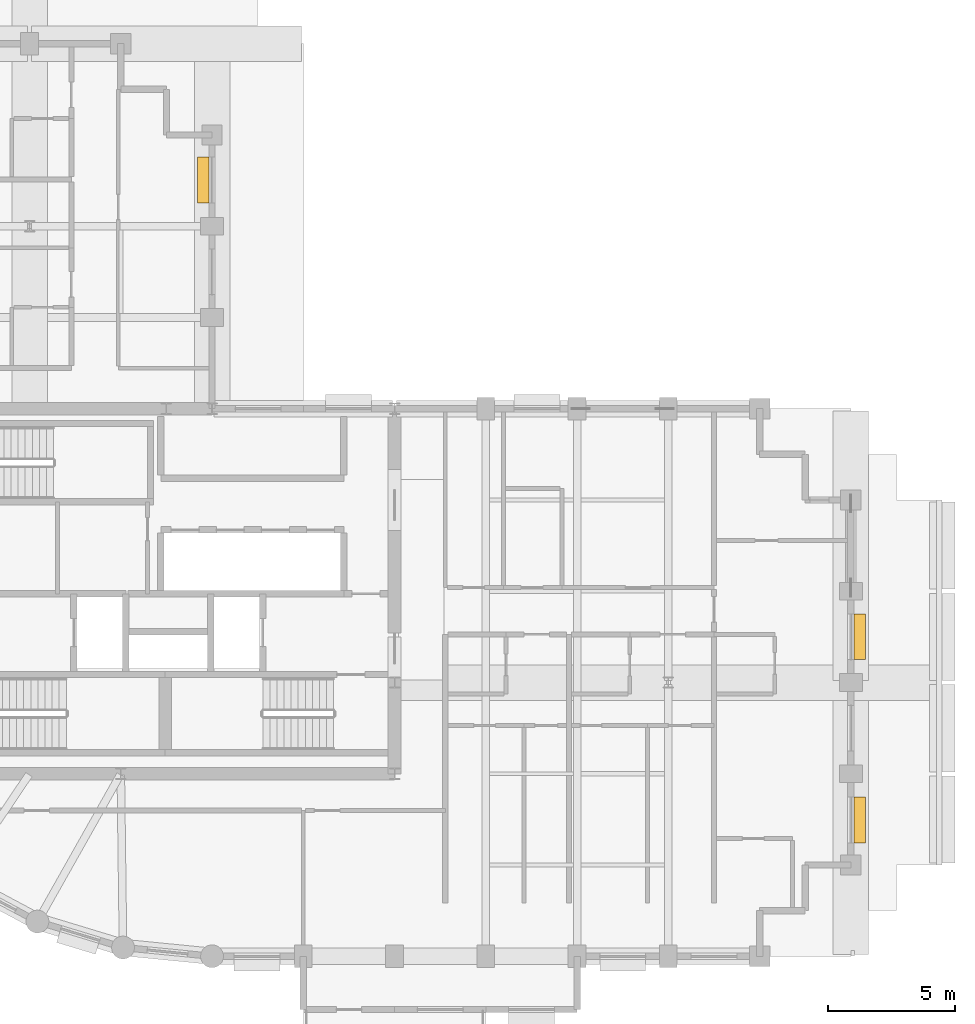
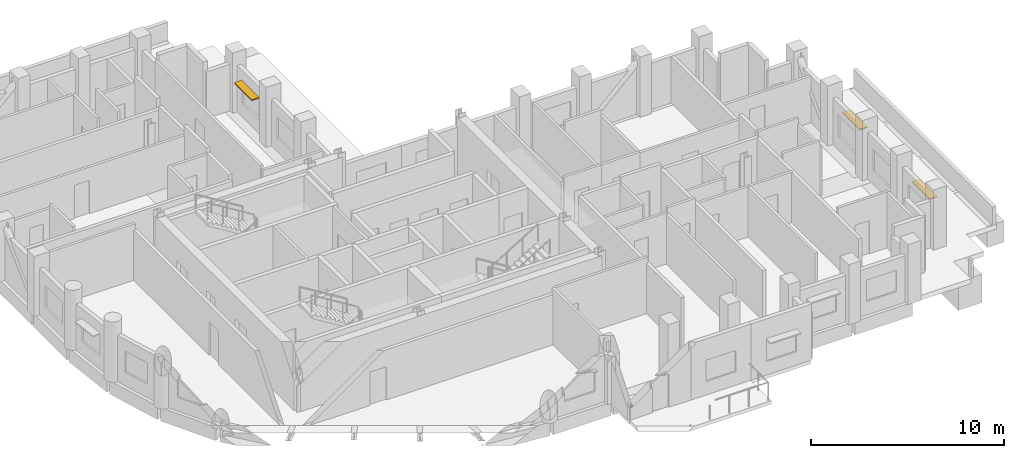
# One storey, part 10 of 10: 3 shading devices.
"""IFC4 building model written with IfcOpenShell, lengths in metres."""

from ifc_helpers import new_model, si_unit, direction, frame, origin, origin_2d, place, context, subcontext, project, spatial, rectangle, extrude, material, layer, layer_set, type_object, element, save


model = new_model("IFC4")

# Units and contexts
model_context = context("Model", 3, precision=1e-05, world=origin(), true_north=direction((0.0, 1.0)))
body_context = subcontext(model_context, "Body", "Model", "MODEL_VIEW")
ifc_project = project(units=[si_unit("LENGTHUNIT", "METRE"), si_unit("AREAUNIT", "SQUARE_METRE"), si_unit("VOLUMEUNIT", "CUBIC_METRE"), si_unit("PLANEANGLEUNIT", "RADIAN"), si_unit("MASSUNIT", "GRAM", prefix="KILO")], contexts=[model_context])

# Site, building, storey
site_placement = place(None, origin())
site = spatial("IfcSite", under=ifc_project, at=site_placement, CompositionType="ELEMENT")
building_placement = place(site_placement, origin())
building = spatial("IfcBuilding", under=site, at=building_placement, Name="Solnavia Interchange Tower", CompositionType="ELEMENT")
storey_placement = place(building_placement, frame((0.0, 0.0, 174.800048828125)))
storey = spatial("IfcBuildingStorey", under=building, at=storey_placement, Name="L43", CompositionType="ELEMENT", Elevation=174.800048828125)

# Shading devices
ifc_material = material(Name="Anodised Aluminium Sunshade", Category="aluminium")
ifc_layer = layer(ifc_material, 0.070068359375)
ifc_layer_set = layer_set([ifc_layer], Name="Anodised Aluminium Sunshade")
shading_device_type = type_object("IfcShadingDeviceType", Name="Sunshade-Band-450", PredefinedType="JALOUSIE", material=ifc_layer_set)
for number, where, z_axis, x_axis, name in (
    (1, (50.7451171875, 8.97509765625, 2.22509765625), (0.0, 0.0, 1.0), (0.0, -1.0, 0.0), "SHD-L43-13 Horizontal sunshade band"),
    (2, (50.7451171875, 16.199951171875, 2.22509765625), (0.0, 0.0, 1.0), (0.0, -1.0, 0.0), "SHD-L43-15 Horizontal sunshade band"),
    (3, (24.85498046875, 34.22509765625, 2.22509765625), (0.0, 0.0, 1.0), (0.0, 1.0, 0.0), "SHD-L43-29 Horizontal sunshade band"),
):
    element("IfcShadingDevice", number, at=place(storey_placement, frame(where, z_axis=z_axis, x_axis=x_axis)), inside=storey, type_object=shading_device_type, Name=name, PredefinedType="JALOUSIE", context=body_context, shape_type="SweptSolid", body=[
        extrude(rectangle(XDim=1.800048828125, YDim=0.449951171875, at=origin_2d()), origin(), (0.0, 0.0, 1.0), 0.070068359375),
    ])

save(model, "model.ifc")
